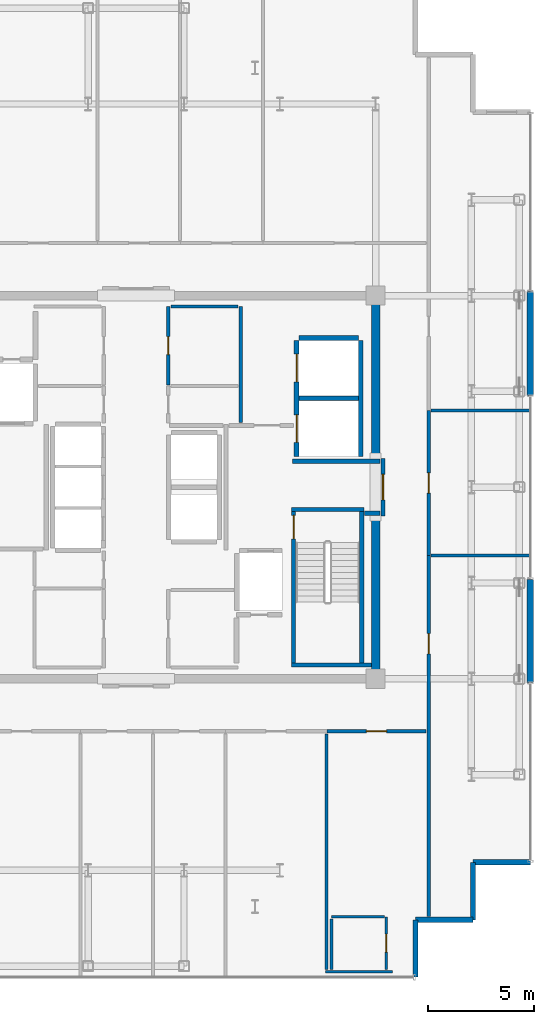
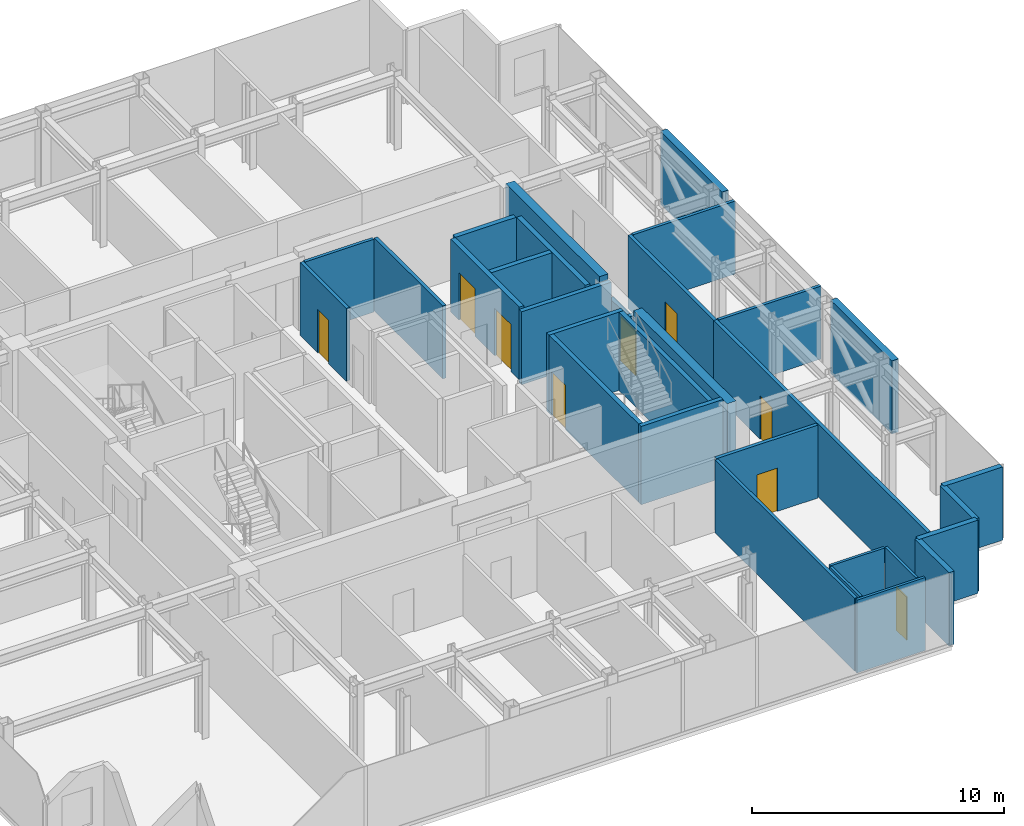
# One storey, part 13 of 16: 32 walls, 9 doors, 9 openings.
"""IFC4 building model written with IfcOpenShell, lengths in metres."""

import ifcopenshell
import ifcopenshell.guid

model = None  # the IFC model being written
_history = None  # IfcOwnerHistory: only IFC2X3 demands one
_inside = {}  # id of a spatial element -> (the spatial element, [elements in it])
_under = {}  # id of a project, library or spatial element -> (it, [spatial elements below it])
_declared = {}  # id of a project -> (the project, [libraries it declares])
_typed = {}  # id of a type object -> (the type object, [elements of that type])
_made_of = {}  # id of a material, layer set ... -> (it, [elements and type objects made of it])


def new_model(schema):
    """Start an empty IFC model of exactly this schema.

    Asked for "IFC4X3", IfcOpenShell would pick the latest addendum, in which some entities
    have other attributes; the version numbers below select the first issue.
    IFC2X3 requires an IfcOwnerHistory on every rooted entity: one is made here for all.
    """
    global model, _history
    if schema == "IFC4X3":
        model = ifcopenshell.file(schema_version=(4, 3, 0, 0))
    else:
        model = ifcopenshell.file(schema=schema)
    _inside.clear()
    _under.clear()
    _declared.clear()
    _typed.clear()
    _made_of.clear()
    _history = None
    if model.schema == "IFC2X3":
        org = make("IfcOrganization", Name="unknown")
        user = make(
            "IfcPersonAndOrganization",
            ThePerson=make("IfcPerson", FamilyName="unknown"),
            TheOrganization=org,
        )
        app = make(
            "IfcApplication",
            ApplicationDeveloper=org,
            Version="unknown",
            ApplicationFullName="unknown",
            ApplicationIdentifier="unknown",
        )
        _history = make(
            "IfcOwnerHistory",
            OwningUser=user,
            OwningApplication=app,
            ChangeAction="ADDED",
            CreationDate=0,
        )
    return model


def make(cls, **values):
    """One entity of the class cls with the attributes given. An attribute that is None is left unset."""
    return model.create_entity(
        cls, **{name: value for name, value in values.items() if value is not None}
    )


def rooted(cls, **values):
    """An entity with a GlobalId (a new one), such as an element, a storey or a relation."""
    return make(cls, GlobalId=ifcopenshell.guid.new(), OwnerHistory=_history, **values)


def si_unit(unit_type, name, prefix=None):
    """IfcSIUnit, for example si_unit("LENGTHUNIT", "METRE", prefix="MILLI")."""
    return make("IfcSIUnit", UnitType=unit_type, Prefix=prefix, Name=name)


def assignment(units):
    """IfcUnitAssignment: the units of a project."""
    return None if units is None else make("IfcUnitAssignment", Units=units)


def point(xyz):
    """IfcCartesianPoint."""
    return None if xyz is None else make("IfcCartesianPoint", Coordinates=xyz)


def direction(xyz):
    """IfcDirection."""
    return None if xyz is None else make("IfcDirection", DirectionRatios=xyz)


def frame(location, z_axis=None, x_axis=None):
    """IfcAxis2Placement3D, a coordinate frame: its origin and axes. An axis left out is left unset."""
    return make(
        "IfcAxis2Placement3D",
        Location=point(location),
        Axis=direction(z_axis),
        RefDirection=direction(x_axis),
    )


def frame_2d(location, x_axis=None):
    """IfcAxis2Placement2D, a coordinate frame in the plane: its origin and x axis."""
    return make(
        "IfcAxis2Placement2D", Location=point(location), RefDirection=direction(x_axis)
    )


def origin():
    """The frame at (0, 0, 0) with its axes left unset."""
    return frame((0.0, 0.0, 0.0))


def place(relative_to, where):
    """IfcLocalPlacement: puts the frame where relative to a parent placement (None: the world)."""
    return make(
        "IfcLocalPlacement", PlacementRelTo=relative_to, RelativePlacement=where
    )


def context(
    kind, dimensions, precision=None, world=None, true_north=None, identifier=None
):
    """IfcGeometricRepresentationContext, for example the 3D "Model" context."""
    return make(
        "IfcGeometricRepresentationContext",
        ContextIdentifier=identifier,
        ContextType=kind,
        CoordinateSpaceDimension=dimensions,
        Precision=precision,
        WorldCoordinateSystem=world,
        TrueNorth=true_north,
    )


def subcontext(parent, identifier, kind, view, scale=None):
    """IfcGeometricRepresentationSubContext, for example "Body" below "Model"."""
    return make(
        "IfcGeometricRepresentationSubContext",
        ContextIdentifier=identifier,
        ContextType=kind,
        ParentContext=parent,
        TargetScale=scale,
        TargetView=view,
    )


def project(units=None, contexts=None):
    """IfcProject with its units and contexts."""
    return rooted(
        "IfcProject",
        Name="project",
        RepresentationContexts=contexts,
        UnitsInContext=assignment(units),
    )


def spatial(cls, under=None, at=None, **own):
    """A site, building, storey or space (cls), placed at a placement, below another one or the project."""
    s = rooted(cls, ObjectPlacement=at, **own)
    if under is not None:
        _under.setdefault(under.id(), (under, []))[1].append(s)
    return s


def profile(cls, at=None, kind="AREA", **sizes):
    """A parametric profile (cls). Its sizes go by their IFC names, for example OverallWidth=200.0."""
    return make(cls, ProfileType=kind, Position=at, **sizes)


def rectangle(**sizes):
    """IfcRectangleProfileDef."""
    return profile("IfcRectangleProfileDef", **sizes)


def extrude(swept, where, along, depth):
    """IfcExtrudedAreaSolid: the profile swept, set in the frame where, extruded along a direction by depth."""
    return make(
        "IfcExtrudedAreaSolid",
        SweptArea=swept,
        Position=where,
        ExtrudedDirection=direction(along),
        Depth=depth,
    )


def shape(context_of_items, identifier, shape_type, items):
    """IfcShapeRepresentation: the items that make up one representation, for example the "Body"."""
    return make(
        "IfcShapeRepresentation",
        ContextOfItems=context_of_items,
        RepresentationIdentifier=identifier,
        RepresentationType=shape_type,
        Items=items,
    )


def source(mapping_origin, context_of_items, identifier, shape_type, items):
    """IfcRepresentationMap: a shape defined once, which mapped items show again and again."""
    return make(
        "IfcRepresentationMap",
        MappingOrigin=mapping_origin,
        MappedRepresentation=shape(context_of_items, identifier, shape_type, items),
    )


def transform(
    local_origin,
    x_axis=None,
    y_axis=None,
    z_axis=None,
    scale=None,
    scale2=None,
    scale3=None,
    uniform=True,
):
    """IfcCartesianTransformationOperator3D, or its non-uniform kind. x_axis, y_axis, z_axis: its Axis1, 2, 3."""
    if uniform:
        return make(
            "IfcCartesianTransformationOperator3D",
            Axis1=direction(x_axis),
            Axis2=direction(y_axis),
            LocalOrigin=point(local_origin),
            Scale=scale,
            Axis3=direction(z_axis),
        )
    return make(
        "IfcCartesianTransformationOperator3DnonUniform",
        Axis1=direction(x_axis),
        Axis2=direction(y_axis),
        LocalOrigin=point(local_origin),
        Scale=scale,
        Axis3=direction(z_axis),
        Scale2=scale2,
        Scale3=scale3,
    )


def mapped(mapping_source, mapping_target):
    """IfcMappedItem: shows the shape of a source again, moved by a transform."""
    return make(
        "IfcMappedItem", MappingSource=mapping_source, MappingTarget=mapping_target
    )


def material(Name=None, Category=None):
    """IfcMaterial."""
    return make("IfcMaterial", Name=Name, Category=Category)


def layer(
    of_material, thickness, ventilated=None, Name=None, Category=None, Priority=None
):
    """IfcMaterialLayer: one layer of a wall or slab, of a material (None: an air gap)."""
    return make(
        "IfcMaterialLayer",
        Material=of_material,
        LayerThickness=thickness,
        IsVentilated=ventilated,
        Name=Name,
        Category=Category,
        Priority=Priority,
    )


def layer_set(layers, Name=None):
    """IfcMaterialLayerSet."""
    return make("IfcMaterialLayerSet", MaterialLayers=layers, LayerSetName=Name)


def made_of(thing, what):
    """Note that an element or type object is made of a material, layer set ...; save() writes the relation."""
    if what is not None:
        _made_of.setdefault(what.id(), (what, []))[1].append(thing)
    return thing


def type_object(cls, material=None, **own):
    """A type object (cls), such as IfcWallType, which elements share."""
    return made_of(rooted(cls, **own), material)


def element(
    cls,
    number,
    at=None,
    inside=None,
    cuts=None,
    type_object=None,
    material=None,
    context=None,
    identifier="Body",
    shape_type=None,
    held_by="IfcProductDefinitionShape",
    body=None,
    shapes=None,
    **own,
):
    """One element of the class cls, such as IfcWall. Its Tag is "e" and its number.

    at: its placement. inside: the storey or other place that contains it. cuts: it is an
    opening in that element (IfcRelVoidsElement). A single representation is given by context,
    identifier, shape_type and body (its items); several are given by shapes. held_by: the class
    of the entity that holds the representations. save() writes the other relations.
    """
    e = rooted(cls, Tag="e%d" % number, ObjectPlacement=at, **own)
    if body is not None:
        shapes = [shape(context, identifier, shape_type, body)]
    if shapes is not None:
        e.Representation = make(held_by, Representations=shapes)
    if inside is not None:
        _inside.setdefault(inside.id(), (inside, []))[1].append(e)
    if cuts is not None:
        rooted(
            "IfcRelVoidsElement", RelatingBuildingElement=cuts, RelatedOpeningElement=e
        )
    if type_object is not None:
        _typed.setdefault(type_object.id(), (type_object, []))[1].append(e)
    return made_of(e, material)


def fill(opening, filler):
    """IfcRelFillsElement: the door or window that sits in an opening."""
    return rooted(
        "IfcRelFillsElement",
        RelatingOpeningElement=opening,
        RelatedBuildingElement=filler,
    )


def aggregate(whole, parts):
    """IfcRelAggregates: a whole, such as a stair, and the parts it consists of."""
    return rooted("IfcRelAggregates", RelatingObject=whole, RelatedObjects=parts)


def save(model, path):
    """Write the relations noted so far, then the file.

    IfcRelAggregates (storeys below a building ...), IfcRelContainedInSpatialStructure (elements
    in a storey), IfcRelDefinesByType, IfcRelAssociatesMaterial and IfcRelDeclares: one each for
    every whole, place, type object, material and project.
    """
    for whole, parts in _under.values():
        aggregate(whole, parts)
    for where, things in _inside.values():
        rooted(
            "IfcRelContainedInSpatialStructure",
            RelatedElements=things,
            RelatingStructure=where,
        )
    for kind, things in _typed.values():
        rooted("IfcRelDefinesByType", RelatedObjects=things, RelatingType=kind)
    for what, things in _made_of.values():
        rooted("IfcRelAssociatesMaterial", RelatedObjects=things, RelatingMaterial=what)
    for by, libraries in _declared.values():
        rooted("IfcRelDeclares", RelatingContext=by, RelatedDefinitions=libraries)
    model.write(path)


model = new_model("IFC4")

# Units and contexts
model_context = context("Model", 3, precision=1e-05, world=origin(), true_north=direction((0.0, 1.0)))
body_context = subcontext(model_context, "Body", "Model", "MODEL_VIEW")
ifc_project = project(units=[si_unit("LENGTHUNIT", "METRE"), si_unit("AREAUNIT", "SQUARE_METRE"), si_unit("VOLUMEUNIT", "CUBIC_METRE"), si_unit("PLANEANGLEUNIT", "RADIAN"), si_unit("MASSUNIT", "GRAM", prefix="KILO")], contexts=[model_context])

# Site, building, storey
site_placement = place(None, origin())
site = spatial("IfcSite", under=ifc_project, at=site_placement, CompositionType="ELEMENT")
building_placement = place(site_placement, origin())
building = spatial("IfcBuilding", under=site, at=building_placement, Name="Nefas-Gora Pilgrimage Tower", CompositionType="ELEMENT")
storey_placement = place(building_placement, frame((0.0, 0.0, 333.800048828125)))
storey = spatial("IfcBuildingStorey", under=building, at=storey_placement, Name="L84", CompositionType="ELEMENT", Elevation=333.800048828125)

# Walls
ifc_material_1 = material(Name="Concrete C50/60", Category="concrete")
ifc_layer_1 = layer(ifc_material_1, 0.39990234375)
ifc_layer_set_1 = layer_set([ifc_layer_1], Name="Concrete C50/60")
wall_type_1 = type_object("IfcWallType", Name="SW-CORE-400", PredefinedType="SHEAR", material=ifc_layer_set_1)
shared_shape_1 = source(origin(), body_context, "Body", "SweptSolid", [
    extrude(rectangle(XDim=7.449951171875, YDim=0.39990234375, at=frame_2d((3.72509765625, 0.0))), origin(), (0.0, 0.0, 1.0), 3.800048828125),
])
for number, where, z_axis, x_axis, name in (
    (1, (11.25, -8.800048828125, 0.0), (0.0, 0.0, 1.0), (0.0, 1.0, 0.0), "L84 Core Shear Wall E-South"),
    (2, (11.25, 1.35009765625, 0.0), (0.0, 0.0, 1.0), (0.0, 1.0, 0.0), "L84 Core Shear Wall E-North"),
):
    element("IfcWall", number, at=place(storey_placement, frame(where, z_axis=z_axis, x_axis=x_axis)), inside=storey, type_object=wall_type_1, Name=name, PredefinedType="SHEAR", context=body_context, shape_type="MappedRepresentation", body=[
        mapped(shared_shape_1, transform((0.0, 0.0, 0.0), x_axis=(1.0, 0.0, 0.0), y_axis=(0.0, 1.0, 0.0), z_axis=(0.0, 0.0, 1.0), scale=1.0)),
    ])
ifc_material_2 = material(Name="Precast concrete C45/55", Category="concrete")
ifc_layer_2 = layer(ifc_material_2, 0.239990234375)
ifc_layer_set_2 = layer_set([ifc_layer_2], Name="Precast concrete C45/55")
wall_type_2 = type_object("IfcWallType", Name="EW-SERR-240", PredefinedType="SHEAR", material=ifc_layer_set_2)
shared_shape_2 = source(origin(), body_context, "Body", "SweptSolid", [
    extrude(rectangle(XDim=4.8798828125, YDim=0.300048828125, at=frame_2d((2.43994140625, 0.0))), origin(), (0.0, 0.0, 1.0), 3.550048828125),
])
for number, where, z_axis, x_axis, name in (
    (3, (18.52001953125, -9.18994140625, 0.0), (0.0, 0.0, 1.0), (0.0, 1.0, 0.0), "L84 Braced-Tube Precast Shear Cladding 3"),
    (4, (18.52001953125, 4.31005859375, 0.0), (0.0, 0.0, 1.0), (0.0, 1.0, 0.0), "L84 Braced-Tube Precast Shear Cladding 4"),
):
    element("IfcWall", number, at=place(storey_placement, frame(where, z_axis=z_axis, x_axis=x_axis)), inside=storey, type_object=wall_type_2, Name=name, PredefinedType="SHEAR", context=body_context, shape_type="MappedRepresentation", body=[
        mapped(shared_shape_2, transform((0.0, 0.0, 0.0), x_axis=(1.0, 0.0, 0.0), y_axis=(0.0, 1.0, 0.0), z_axis=(0.0, 0.0, 1.0), scale=1.0)),
    ])
shared_shape_3 = source(origin(), body_context, "Body", "SweptSolid", [
    extrude(rectangle(XDim=2.699951171875, YDim=0.239990234375, at=frame_2d((1.35009765625, 0.0))), origin(), (0.0, 0.0, 1.0), 3.550048828125),
])
for number, where, z_axis, x_axis, name in (
    (5, (13.1201171875, -23.02001953125, 0.0), (0.0, 0.0, 1.0), (0.0, 1.0, 0.0), "L84 Serrated Corner Shear Pier Wall 17"),
    (6, (13.1201171875, -20.320068359375, 0.0), (0.0, 0.0, 1.0), (1.0, 0.0, 0.0), "L84 Serrated Corner Shear Pier Wall 18"),
    (7, (15.820068359375, -20.320068359375, 0.0), (0.0, 0.0, 1.0), (0.0, 1.0, 0.0), "L84 Serrated Corner Shear Pier Wall 19"),
    (8, (15.820068359375, -17.6201171875, 0.0), (0.0, 0.0, 1.0), (1.0, 0.0, 0.0), "L84 Serrated Corner Shear Pier Wall 20"),
):
    element("IfcWall", number, at=place(storey_placement, frame(where, z_axis=z_axis, x_axis=x_axis)), inside=storey, type_object=wall_type_2, Name=name, PredefinedType="SHEAR", context=body_context, shape_type="MappedRepresentation", body=[
        mapped(shared_shape_3, transform((0.0, 0.0, 0.0), x_axis=(1.0, 0.0, 0.0), y_axis=(0.0, 1.0, 0.0), z_axis=(0.0, 0.0, 1.0), scale=1.0)),
    ])
ifc_material_3 = material(Name="Concrete C45/55", Category="concrete")
ifc_layer_3 = layer(ifc_material_3, 0.199951171875)
ifc_layer_set_3 = layer_set([ifc_layer_3], Name="Concrete C45/55")
wall_type_3 = type_object("IfcWallType", Name="IW-STAIR-200", PredefinedType="SOLIDWALL", material=ifc_layer_set_3)
shared_shape_4 = source(origin(), body_context, "Body", "SweptSolid", [
    extrude(rectangle(XDim=3.39990234375, YDim=0.199951171875, at=frame_2d((1.699951171875, 0.0))), origin(), (0.0, 0.0, 1.0), 3.800048828125),
])
wall_1_placement = place(storey_placement, frame((7.300048828125, -1.050048828125, 0.0), z_axis=(0.0, 0.0, 1.0), x_axis=(1.0, 0.0, 0.0)))
element("IfcWall", 9, at=wall_1_placement, inside=storey, type_object=wall_type_3, Name="L84 Stairwell Shear Wall ST-02-near", PredefinedType="SOLIDWALL", context=body_context, shape_type="MappedRepresentation", body=[
    mapped(shared_shape_4, transform((0.0, 0.0, 0.0), x_axis=(1.0, 0.0, 0.0), y_axis=(0.0, 1.0, 0.0), z_axis=(0.0, 0.0, 1.0), scale=1.0)),
])

# Wall, opening, door
shared_shape_5 = source(origin(), body_context, "Body", "SweptSolid", [
    extrude(rectangle(XDim=7.10009765625, YDim=0.199951171875, at=frame_2d((3.550048828125, 0.0))), origin(), (0.0, 0.0, 1.0), 3.800048828125),
])
wall_2_placement = place(storey_placement, frame((7.39990234375, -1.14990234375, 0.0), z_axis=(0.0, 0.0, 1.0), x_axis=(0.0, -1.0, 0.0)))
wall_2 = element("IfcWall", 10, at=wall_2_placement, inside=storey, type_object=wall_type_3, Name="L84 Stairwell Shear Wall ST-02-left", PredefinedType="SOLIDWALL", context=body_context, shape_type="MappedRepresentation", body=[
    mapped(shared_shape_5, transform((0.0, 0.0, 0.0), x_axis=(1.0, 0.0, 0.0), y_axis=(0.0, 1.0, 0.0), z_axis=(0.0, 0.0, 1.0), scale=1.0)),
])
opening_1_placement = place(wall_2_placement, frame((0.179931640625, 0.0, 0.0)))
opening_1 = element("IfcOpeningElement", 11, at=opening_1_placement, cuts=wall_2, Name="Opening ID-ST1", PredefinedType="OPENING", context=body_context, shape_type="SweptSolid", body=[
    extrude(rectangle(XDim=1.10009765625, YDim=2.14990234375, at=frame_2d((0.550048828125, 1.074951171875))), frame((0.0, 0.10986328125, 0.0), z_axis=(0.0, -1.0, 0.0), x_axis=(1.0, 0.0, 0.0)), (0.0, 0.0, 1.0), 0.219970703125),
])
ifc_material_4 = material(Name="Painted galvanised steel fire stair door", Category="steel")
door_type_1 = type_object("IfcDoorType", Name="DR-INT-STAIR-1100", OperationType="NOTDEFINED", PredefinedType="DOOR", material=ifc_material_4)
shared_shape_6 = source(origin(), body_context, "Body", "SweptSolid", [
    extrude(rectangle(XDim=1.10009765625, YDim=2.14990234375, at=frame_2d((0.550048828125, 1.074951171875))), frame((0.0, 0.02490234375, 0.0), z_axis=(0.0, -1.0, 0.0), x_axis=(1.0, 0.0, 0.0)), (0.0, 0.0, 1.0), 0.050048828125),
])
door_1_placement = place(opening_1_placement, origin())
door_1 = element("IfcDoor", 12, at=door_1_placement, inside=storey, type_object=door_type_1, Name="L84 Protected Exit Stair Door ST-02", OperationType="SINGLE_SWING_LEFT", OverallHeight=2.14990234375, OverallWidth=1.10009765625, PredefinedType="DOOR", context=body_context, shape_type="MappedRepresentation", body=[
    mapped(shared_shape_6, transform((0.0, 0.0, 0.0), x_axis=(1.0, 0.0, 0.0), y_axis=(0.0, 1.0, 0.0), z_axis=(0.0, 0.0, 1.0), scale=1.0)),
])
fill(opening_1, door_1)

# Walls
wall_3_placement = place(storey_placement, frame((10.60009765625, -1.14990234375, 0.0), z_axis=(0.0, 0.0, 1.0), x_axis=(0.0, -1.0, 0.0)))
element("IfcWall", 13, at=wall_3_placement, inside=storey, type_object=wall_type_3, Name="L84 Stairwell Shear Wall ST-02-right", PredefinedType="SOLIDWALL", context=body_context, shape_type="MappedRepresentation", body=[
    mapped(shared_shape_5, transform((0.0, 0.0, 0.0), x_axis=(1.0, 0.0, 0.0), y_axis=(0.0, 1.0, 0.0), z_axis=(0.0, 0.0, 1.0), scale=1.0)),
])
shared_shape_7 = source(origin(), body_context, "Body", "SweptSolid", [
    extrude(rectangle(XDim=3.7548828125, YDim=0.199951171875, at=frame_2d((1.87744140625, 0.0))), origin(), (0.0, 0.0, 1.0), 3.800048828125),
])
wall_4_placement = place(storey_placement, frame((7.300048828125, -8.35009765625, 0.0), z_axis=(0.0, 0.0, 1.0), x_axis=(1.0, 0.0, 0.0)))
element("IfcWall", 14, at=wall_4_placement, inside=storey, type_object=wall_type_3, Name="L84 Stairwell Shear Wall ST-02-far", PredefinedType="SOLIDWALL", context=body_context, shape_type="MappedRepresentation", body=[
    mapped(shared_shape_7, transform((0.0, 0.0, 0.0), x_axis=(1.0, 0.0, 0.0), y_axis=(0.0, 1.0, 0.0), z_axis=(0.0, 0.0, 1.0), scale=1.0)),
])

# Wall, openings, doors
ifc_material_5 = material(Name="Concrete C40/50", Category="concrete")
ifc_layer_4 = layer(ifc_material_5, 0.219970703125)
ifc_layer_set_4 = layer_set([ifc_layer_4], Name="Concrete C40/50")
wall_type_4 = type_object("IfcWallType", Name="IW-SHAFT-220", PredefinedType="SOLIDWALL", material=ifc_layer_set_4)
shared_shape_8 = source(origin(), body_context, "Body", "SweptSolid", [
    extrude(rectangle(XDim=5.449951171875, YDim=0.219970703125, at=frame_2d((2.72509765625, 0.0))), origin(), (0.0, 0.0, 1.0), 3.534912109375),
])
wall_5_placement = place(storey_placement, frame((7.5400390625, 6.89990234375, 0.0), z_axis=(0.0, 0.0, 1.0), x_axis=(0.0, -1.0, 0.0)))
wall_5 = element("IfcWall", 15, at=wall_5_placement, inside=storey, type_object=wall_type_4, Name="L84 Hoistway Wall SL-01-02-W", PredefinedType="SOLIDWALL", context=body_context, shape_type="MappedRepresentation", body=[
    mapped(shared_shape_8, transform((0.0, 0.0, 0.0), x_axis=(1.0, 0.0, 0.0), y_axis=(0.0, 1.0, 0.0), z_axis=(0.0, 0.0, 1.0), scale=1.0)),
])
opening_2_placement = place(wall_5_placement, frame((3.5, 0.0, 0.0)))
opening_2 = element("IfcOpeningElement", 16, at=opening_2_placement, cuts=wall_5, Name="Opening LD-SV", PredefinedType="OPENING", context=body_context, shape_type="SweptSolid", body=[
    extrude(rectangle(XDim=1.300048828125, YDim=2.300048828125, at=frame_2d((0.64990234375, 1.14990234375))), frame((0.0, 0.119873046875, 0.0), z_axis=(0.0, -1.0, 0.0), x_axis=(1.0, 0.0, 0.0)), (0.0, 0.0, 1.0), 0.239990234375),
])
opening_3_placement = place(wall_5_placement, frame((0.64990234375, 0.0, 0.0)))
opening_3 = element("IfcOpeningElement", 17, at=opening_3_placement, cuts=wall_5, Name="Opening LD-SV", PredefinedType="OPENING", context=body_context, shape_type="SweptSolid", body=[
    extrude(rectangle(XDim=1.300048828125, YDim=2.300048828125, at=frame_2d((0.64990234375, 1.14990234375))), frame((0.0, 0.119873046875, 0.0), z_axis=(0.0, -1.0, 0.0), x_axis=(1.0, 0.0, 0.0)), (0.0, 0.0, 1.0), 0.239990234375),
])
ifc_material_6 = material(Name="Heavy goods sliding lift landing door")
door_type_2 = type_object("IfcDoorType", Name="DR-LIFT-SERV-1300", OperationType="SLIDING_TO_RIGHT", PredefinedType="DOOR", material=ifc_material_6)
shared_shape_9 = source(origin(), body_context, "Body", "SweptSolid", [
    extrude(rectangle(XDim=1.300048828125, YDim=2.300048828125, at=frame_2d((0.64990234375, 1.14990234375))), frame((0.0, 0.02490234375, 0.0), z_axis=(0.0, -1.0, 0.0), x_axis=(1.0, 0.0, 0.0)), (0.0, 0.0, 1.0), 0.050048828125),
])
door_2_placement = place(opening_2_placement, origin())
door_2 = element("IfcDoor", 18, at=door_2_placement, inside=storey, type_object=door_type_2, Name="L84 Sliding Lift Landing Door SL-01", OperationType="SLIDING_TO_RIGHT", OverallHeight=2.300048828125, OverallWidth=1.300048828125, PredefinedType="DOOR", context=body_context, shape_type="MappedRepresentation", body=[
    mapped(shared_shape_9, transform((0.0, 0.0, 0.0), x_axis=(1.0, 0.0, 0.0), y_axis=(0.0, 1.0, 0.0), z_axis=(0.0, 0.0, 1.0), scale=1.0)),
])
fill(opening_2, door_2)
door_3_placement = place(opening_3_placement, origin())
door_3 = element("IfcDoor", 19, at=door_3_placement, inside=storey, type_object=door_type_2, Name="L84 Sliding Lift Landing Door SL-02", OperationType="SLIDING_TO_RIGHT", OverallHeight=2.300048828125, OverallWidth=1.300048828125, PredefinedType="DOOR", context=body_context, shape_type="MappedRepresentation", body=[
    mapped(shared_shape_9, transform((0.0, 0.0, 0.0), x_axis=(1.0, 0.0, 0.0), y_axis=(0.0, 1.0, 0.0), z_axis=(0.0, 0.0, 1.0), scale=1.0)),
])
fill(opening_3, door_3)

# Walls
wall_6_placement = place(storey_placement, frame((10.56005859375, 1.449951171875, 0.0), z_axis=(0.0, 0.0, 1.0), x_axis=(0.0, 1.0, 0.0)))
element("IfcWall", 20, at=wall_6_placement, inside=storey, type_object=wall_type_4, Name="L84 Hoistway Wall SL-01-02-E", PredefinedType="SOLIDWALL", context=body_context, shape_type="MappedRepresentation", body=[
    mapped(shared_shape_8, transform((0.0, 0.0, 0.0), x_axis=(1.0, 0.0, 0.0), y_axis=(0.0, 1.0, 0.0), z_axis=(0.0, 0.0, 1.0), scale=1.0)),
])
shared_shape_10 = source(origin(), body_context, "Body", "SweptSolid", [
    extrude(rectangle(XDim=2.780029296875, YDim=0.219970703125, at=frame_2d((1.39013671875, 0.0))), origin(), (0.0, 0.0, 1.0), 3.534912109375),
])
for number, where, z_axis, x_axis, name in (
    (21, (7.659912109375, 4.175048828125, 0.0), (0.0, 0.0, 1.0), (1.0, 0.0, 0.0), "L84 Hoistway Wall SL-01-02-DIV"),
    (22, (10.43994140625, 7.010009765625, 0.0), (0.0, 0.0, 1.0), (-1.0, 0.0, 0.0), "L84 Hoistway Wall SL-02-N"),
):
    element("IfcWall", number, at=place(storey_placement, frame(where, z_axis=z_axis, x_axis=x_axis)), inside=storey, type_object=wall_type_4, Name=name, PredefinedType="SOLIDWALL", context=body_context, shape_type="MappedRepresentation", body=[
        mapped(shared_shape_10, transform((0.0, 0.0, 0.0), x_axis=(1.0, 0.0, 0.0), y_axis=(0.0, 1.0, 0.0), z_axis=(0.0, 0.0, 1.0), scale=1.0)),
    ])
ifc_material_7 = material(Name="Gypsum fire-rated shaftwall")
ifc_layer_5 = layer(ifc_material_7, 0.199951171875)
ifc_layer_set_5 = layer_set([ifc_layer_5], Name="Gypsum fire-rated shaftwall")
wall_type_5 = type_object("IfcWallType", Name="IW-FFLOB-200", PredefinedType="PARTITIONING", material=ifc_layer_set_5)
shared_shape_11 = source(origin(), body_context, "Body", "SweptSolid", [
    extrude(rectangle(XDim=0.719970703125, YDim=0.199951171875, at=frame_2d((0.35986328125, 0.0))), origin(), (0.0, 0.0, 1.0), 3.534912109375),
])
wall_7_placement = place(storey_placement, frame((10.739990234375, -1.219970703125, 0.0), z_axis=(0.0, 0.0, 1.0), x_axis=(1.0, 0.0, 0.0)))
element("IfcWall", 23, at=wall_7_placement, inside=storey, type_object=wall_type_5, Name="L84 FF Lobby East Throat S Wall 15", PredefinedType="PARTITIONING", context=body_context, shape_type="MappedRepresentation", body=[
    mapped(shared_shape_11, transform((0.0, 0.0, 0.0), x_axis=(1.0, 0.0, 0.0), y_axis=(0.0, 1.0, 0.0), z_axis=(0.0, 0.0, 1.0), scale=1.0)),
])
shared_shape_12 = source(origin(), body_context, "Body", "SweptSolid", [
    extrude(rectangle(XDim=4.10986328125, YDim=0.199951171875, at=frame_2d((2.054931640625, 0.0))), origin(), (0.0, 0.0, 1.0), 3.534912109375),
])
wall_8_placement = place(storey_placement, frame((7.35009765625, 1.219970703125, 0.0), z_axis=(0.0, 0.0, 1.0), x_axis=(1.0, 0.0, 0.0)))
element("IfcWall", 24, at=wall_8_placement, inside=storey, type_object=wall_type_5, Name="L84 FF Lobby East Throat N Wall 14", PredefinedType="PARTITIONING", context=body_context, shape_type="MappedRepresentation", body=[
    mapped(shared_shape_12, transform((0.0, 0.0, 0.0), x_axis=(1.0, 0.0, 0.0), y_axis=(0.0, 1.0, 0.0), z_axis=(0.0, 0.0, 1.0), scale=1.0)),
])
ifc_material_8 = material(Name="Gypsum twin-stud partition")
ifc_layer_6 = layer(ifc_material_8, 0.139892578125)
ifc_layer_set_6 = layer_set([ifc_layer_6], Name="Gypsum twin-stud partition")
wall_type_6 = type_object("IfcWallType", Name="IW-UNIT-140", PredefinedType="PARTITIONING", material=ifc_layer_set_6)
shared_shape_13 = source(origin(), body_context, "Body", "SweptSolid", [
    extrude(rectangle(XDim=3.150146484375, YDim=0.139892578125, at=frame_2d((1.5751953125, 0.0))), origin(), (0.0, 0.0, 1.0), 3.534912109375),
])
wall_9_placement = place(storey_placement, frame((1.639892578125, 8.47998046875, 0.0), z_axis=(0.0, 0.0, 1.0), x_axis=(1.0, 0.0, 0.0)))
element("IfcWall", 25, at=wall_9_placement, inside=storey, type_object=wall_type_6, Name="L84 Amenity Supply Store Partition Wall 30", PredefinedType="PARTITIONING", context=body_context, shape_type="MappedRepresentation", body=[
    mapped(shared_shape_13, transform((0.0, 0.0, 0.0), x_axis=(1.0, 0.0, 0.0), y_axis=(0.0, 1.0, 0.0), z_axis=(0.0, 0.0, 1.0), scale=1.0)),
])

# Wall, opening, door
ifc_material_9 = material(Name="Moisture-resistant fire-rated gypsum partition")
ifc_layer_7 = layer(ifc_material_9, 0.1201171875)
ifc_layer_set_7 = layer_set([ifc_layer_7], Name="Moisture-resistant fire-rated gypsum partition")
wall_type_7 = type_object("IfcWallType", Name="IW-WET-120", PredefinedType="PLUMBINGWALL", material=ifc_layer_set_7)
shared_shape_14 = source(origin(), body_context, "Body", "SweptSolid", [
    extrude(rectangle(XDim=2.47998046875, YDim=0.1201171875, at=frame_2d((1.239990234375, 0.0))), origin(), (0.0, 0.0, 1.0), 3.534912109375),
])
wall_10_placement = place(storey_placement, frame((11.760009765625, -22.659912109375, 0.0), z_axis=(0.0, 0.0, 1.0), x_axis=(0.0, 1.0, 0.0)))
wall_10 = element("IfcWall", 26, at=wall_10_placement, inside=storey, type_object=wall_type_7, Name="L84 En-Suite Bathroom Wall 20", PredefinedType="PLUMBINGWALL", context=body_context, shape_type="MappedRepresentation", body=[
    mapped(shared_shape_14, transform((0.0, 0.0, 0.0), x_axis=(1.0, 0.0, 0.0), y_axis=(0.0, 1.0, 0.0), z_axis=(0.0, 0.0, 1.0), scale=1.0)),
])
opening_4_placement = place(wall_10_placement, frame((0.81494140625, 0.0, 0.0)))
opening_4 = element("IfcOpeningElement", 27, at=opening_4_placement, cuts=wall_10, Name="Opening ID-BT1", PredefinedType="OPENING", context=body_context, shape_type="SweptSolid", body=[
    extrude(rectangle(XDim=0.85009765625, YDim=2.10009765625, at=frame_2d((0.425048828125, 1.050048828125))), frame((0.0, 0.070068359375, 0.0), z_axis=(0.0, -1.0, 0.0), x_axis=(1.0, 0.0, 0.0)), (0.0, 0.0, 1.0), 0.14013671875),
])
ifc_material_10 = material(Name="Moisture-resistant fire-rated timber door", Category="wood")
door_type_3 = type_object("IfcDoorType", Name="DR-INT-BATH-850", OperationType="NOTDEFINED", PredefinedType="DOOR", material=ifc_material_10)
shared_shape_15 = source(origin(), body_context, "Body", "SweptSolid", [
    extrude(rectangle(XDim=0.85009765625, YDim=2.10009765625, at=frame_2d((0.425048828125, 1.050048828125))), frame((0.0, 0.02490234375, 0.0), z_axis=(0.0, -1.0, 0.0), x_axis=(1.0, 0.0, 0.0)), (0.0, 0.0, 1.0), 0.050048828125),
])
door_4_placement = place(opening_4_placement, origin())
door_4 = element("IfcDoor", 28, at=door_4_placement, inside=storey, type_object=door_type_3, Name="L84 En-Suite Bathroom Door 8", OperationType="SINGLE_SWING_RIGHT", OverallHeight=2.10009765625, OverallWidth=0.85009765625, PredefinedType="DOOR", context=body_context, shape_type="MappedRepresentation", body=[
    mapped(shared_shape_15, transform((0.0, 0.0, 0.0), x_axis=(1.0, 0.0, 0.0), y_axis=(0.0, 1.0, 0.0), z_axis=(0.0, 0.0, 1.0), scale=1.0)),
])
fill(opening_4, door_4)

# Wall
wall_11_placement = place(storey_placement, frame((9.179931640625, -20.179931640625, 0.0), z_axis=(0.0, 0.0, 1.0), x_axis=(1.0, 0.0, 0.0)))
element("IfcWall", 29, at=wall_11_placement, inside=storey, type_object=wall_type_7, Name="L84 En-Suite Bathroom Wall 21", PredefinedType="PLUMBINGWALL", context=body_context, shape_type="MappedRepresentation", body=[
    mapped(shared_shape_14, transform((0.0, 0.0, 0.0), x_axis=(1.0, 0.0, 0.0), y_axis=(0.0, 1.0, 0.0), z_axis=(0.0, 0.0, 1.0), scale=1.0)),
])

# Wall, opening, door
ifc_material_11 = material(Name="Gypsum acoustic stud partition")
ifc_layer_8 = layer(ifc_material_11, 0.159912109375)
ifc_layer_set_8 = layer_set([ifc_layer_8], Name="Gypsum acoustic stud partition")
wall_type_8 = type_object("IfcWallType", Name="IW-CORR-160", PredefinedType="PARTITIONING", material=ifc_layer_set_8)
shared_shape_16 = source(origin(), body_context, "Body", "SweptSolid", [
    extrude(rectangle(XDim=6.81005859375, YDim=0.159912109375, at=frame_2d((3.405029296875, 0.0))), origin(), (0.0, 0.0, 1.0), 3.534912109375),
])
wall_12_placement = place(storey_placement, frame((13.739990234375, -3.205078125, 0.0), z_axis=(0.0, 0.0, 1.0), x_axis=(0.0, 1.0, 0.0)))
wall_12 = element("IfcWall", 30, at=wall_12_placement, inside=storey, type_object=wall_type_8, Name="L84 Pilgrim Fellowship Seminar Room Partition Wall 52", PredefinedType="PARTITIONING", context=body_context, shape_type="MappedRepresentation", body=[
    mapped(shared_shape_16, transform((0.0, 0.0, 0.0), x_axis=(1.0, 0.0, 0.0), y_axis=(0.0, 1.0, 0.0), z_axis=(0.0, 0.0, 1.0), scale=1.0)),
])
opening_5_placement = place(wall_12_placement, frame((2.929931640625, 0.0, 0.0)))
opening_5 = element("IfcOpeningElement", 31, at=opening_5_placement, cuts=wall_12, Name="Opening ID-GR1", PredefinedType="OPENING", context=body_context, shape_type="SweptSolid", body=[
    extrude(rectangle(XDim=0.949951171875, YDim=2.10009765625, at=frame_2d((0.47509765625, 1.050048828125))), frame((0.0, 0.08984375, 0.0), z_axis=(0.0, -1.0, 0.0), x_axis=(1.0, 0.0, 0.0)), (0.0, 0.0, 1.0), 0.179931640625),
])
ifc_material_12 = material(Name="Solid core oak fire-rated guest entrance door")
door_type_4 = type_object("IfcDoorType", Name="DR-INT-GUEST-950", OperationType="NOTDEFINED", PredefinedType="DOOR", material=ifc_material_12)
shared_shape_17 = source(origin(), body_context, "Body", "SweptSolid", [
    extrude(rectangle(XDim=0.949951171875, YDim=2.10009765625, at=frame_2d((0.47509765625, 1.050048828125))), frame((0.0, 0.02490234375, 0.0), z_axis=(0.0, -1.0, 0.0), x_axis=(1.0, 0.0, 0.0)), (0.0, 0.0, 1.0), 0.050048828125),
])
door_5_placement = place(opening_5_placement, origin())
door_5 = element("IfcDoor", 32, at=door_5_placement, inside=storey, type_object=door_type_4, Name="L84 Pilgrim Fellowship Seminar Room Door 22", OperationType="SINGLE_SWING_RIGHT", OverallHeight=2.10009765625, OverallWidth=0.949951171875, PredefinedType="DOOR", context=body_context, shape_type="MappedRepresentation", body=[
    mapped(shared_shape_17, transform((0.0, 0.0, 0.0), x_axis=(1.0, 0.0, 0.0), y_axis=(0.0, 1.0, 0.0), z_axis=(0.0, 0.0, 1.0), scale=1.0)),
])
fill(opening_5, door_5)

shared_shape_18 = source(origin(), body_context, "Body", "SweptSolid", [
    extrude(rectangle(XDim=4.66015625, YDim=0.159912109375, at=frame_2d((2.330078125, 0.0))), origin(), (0.0, 0.0, 1.0), 3.534912109375),
])
wall_13_placement = place(storey_placement, frame((8.9599609375, -11.469970703125, 0.0), z_axis=(0.0, 0.0, 1.0), x_axis=(1.0, 0.0, 0.0)))
wall_13 = element("IfcWall", 33, at=wall_13_placement, inside=storey, type_object=wall_type_8, Name="L84 Pilgrim Sanctuary Suite Partition Wall 73", PredefinedType="PARTITIONING", context=body_context, shape_type="MappedRepresentation", body=[
    mapped(shared_shape_18, transform((0.0, 0.0, 0.0), x_axis=(1.0, 0.0, 0.0), y_axis=(0.0, 1.0, 0.0), z_axis=(0.0, 0.0, 1.0), scale=1.0)),
])
opening_6_placement = place(wall_13_placement, frame((1.85498046875, 0.0, 0.0)))
opening_6 = element("IfcOpeningElement", 34, at=opening_6_placement, cuts=wall_13, Name="Opening ID-GR1", PredefinedType="OPENING", context=body_context, shape_type="SweptSolid", body=[
    extrude(rectangle(XDim=0.949951171875, YDim=2.10009765625, at=frame_2d((0.47509765625, 1.050048828125))), frame((0.0, 0.08984375, 0.0), z_axis=(0.0, -1.0, 0.0), x_axis=(1.0, 0.0, 0.0)), (0.0, 0.0, 1.0), 0.179931640625),
])
door_6_placement = place(opening_6_placement, origin())
door_6 = element("IfcDoor", 35, at=door_6_placement, inside=storey, type_object=door_type_4, Name="L84 Pilgrim Sanctuary Suite Door 34", OperationType="SINGLE_SWING_RIGHT", OverallHeight=2.10009765625, OverallWidth=0.949951171875, PredefinedType="DOOR", context=body_context, shape_type="MappedRepresentation", body=[
    mapped(shared_shape_17, transform((0.0, 0.0, 0.0), x_axis=(1.0, 0.0, 0.0), y_axis=(0.0, 1.0, 0.0), z_axis=(0.0, 0.0, 1.0), scale=1.0)),
])
fill(opening_6, door_6)

# Wall
shared_shape_19 = source(origin(), body_context, "Body", "SweptSolid", [
    extrude(rectangle(XDim=5.449951171875, YDim=0.159912109375, at=frame_2d((2.72509765625, 0.0))), origin(), (0.0, 0.0, 1.0), 3.534912109375),
])
wall_14_placement = place(storey_placement, frame((4.919921875, 3.0400390625, 0.0), z_axis=(0.0, 0.0, 1.0), x_axis=(0.0, 1.0, 0.0)))
element("IfcWall", 36, at=wall_14_placement, inside=storey, type_object=wall_type_8, Name="L84 Service Lift Lobby West Wall Wall 18", PredefinedType="PARTITIONING", context=body_context, shape_type="MappedRepresentation", body=[
    mapped(shared_shape_19, transform((0.0, 0.0, 0.0), x_axis=(1.0, 0.0, 0.0), y_axis=(0.0, 1.0, 0.0), z_axis=(0.0, 0.0, 1.0), scale=1.0)),
])

# Wall, opening, door
shared_shape_20 = source(origin(), body_context, "Body", "SweptSolid", [
    extrude(rectangle(XDim=3.679931640625, YDim=0.159912109375, at=frame_2d((1.83984375, 0.0))), origin(), (0.0, 0.0, 1.0), 3.534912109375),
])
wall_15_placement = place(storey_placement, frame((1.52001953125, 4.81005859375, 0.0), z_axis=(0.0, 0.0, 1.0), x_axis=(0.0, 1.0, 0.0)))
wall_15 = element("IfcWall", 37, at=wall_15_placement, inside=storey, type_object=wall_type_8, Name="L84 Amenity Supply Store Wall 29", PredefinedType="PARTITIONING", context=body_context, shape_type="MappedRepresentation", body=[
    mapped(shared_shape_20, transform((0.0, 0.0, 0.0), x_axis=(1.0, 0.0, 0.0), y_axis=(0.0, 1.0, 0.0), z_axis=(0.0, 0.0, 1.0), scale=1.0)),
])
opening_7_placement = place(wall_15_placement, frame((1.4150390625, 0.0, 0.0)))
opening_7 = element("IfcOpeningElement", 38, at=opening_7_placement, cuts=wall_15, Name="Opening ID-BT1", PredefinedType="OPENING", context=body_context, shape_type="SweptSolid", body=[
    extrude(rectangle(XDim=0.85009765625, YDim=2.10009765625, at=frame_2d((0.425048828125, 1.050048828125))), frame((0.0, 0.08984375, 0.0), z_axis=(0.0, -1.0, 0.0), x_axis=(1.0, 0.0, 0.0)), (0.0, 0.0, 1.0), 0.179931640625),
])
door_7_placement = place(opening_7_placement, origin())
door_7 = element("IfcDoor", 39, at=door_7_placement, inside=storey, type_object=door_type_3, Name="L84 Amenity Supply Store Door 12", OperationType="SINGLE_SWING_RIGHT", OverallHeight=2.10009765625, OverallWidth=0.85009765625, PredefinedType="DOOR", context=body_context, shape_type="MappedRepresentation", body=[
    mapped(shared_shape_15, transform((0.0, 0.0, 0.0), x_axis=(1.0, 0.0, 0.0), y_axis=(0.0, 1.0, 0.0), z_axis=(0.0, 0.0, 1.0), scale=1.0)),
])
fill(opening_7, door_7)

shared_shape_21 = source(origin(), body_context, "Body", "SweptSolid", [
    extrude(rectangle(XDim=2.7001953125, YDim=0.199951171875, at=frame_2d((1.35009765625, 0.0))), origin(), (0.0, 0.0, 1.0), 2.625),
])
wall_16_placement = place(storey_placement, frame((11.60009765625, -1.35009765625, 0.0), z_axis=(0.0, 0.0, 1.0), x_axis=(0.0, 1.0, 0.0)))
wall_16 = element("IfcWall", 40, at=wall_16_placement, inside=storey, type_object=wall_type_5, Name="L84 FF Lobby East Portal Wall 10", PredefinedType="PARTITIONING", context=body_context, shape_type="MappedRepresentation", body=[
    mapped(shared_shape_21, transform((0.0, 0.0, 0.0), x_axis=(1.0, 0.0, 0.0), y_axis=(0.0, 1.0, 0.0), z_axis=(0.0, 0.0, 1.0), scale=1.0)),
])
opening_8_placement = place(wall_16_placement, frame((0.75, 0.0, 0.0)))
opening_8 = element("IfcOpeningElement", 41, at=opening_8_placement, cuts=wall_16, Name="Opening ID-FF1", PredefinedType="OPENING", context=body_context, shape_type="SweptSolid", body=[
    extrude(rectangle(XDim=1.199951171875, YDim=2.14990234375, at=frame_2d((0.60009765625, 1.074951171875))), frame((0.0, 0.10986328125, 0.0), z_axis=(0.0, -1.0, 0.0), x_axis=(1.0, 0.0, 0.0)), (0.0, 0.0, 1.0), 0.219970703125),
])
ifc_material_13 = material(Name="Smoke-sealed steel firefighting lobby door", Category="steel")
door_type_5 = type_object("IfcDoorType", Name="DR-INT-FFLOB-1200", OperationType="NOTDEFINED", PredefinedType="DOOR", material=ifc_material_13)
shared_shape_22 = source(origin(), body_context, "Body", "SweptSolid", [
    extrude(rectangle(XDim=1.199951171875, YDim=2.14990234375, at=frame_2d((0.60009765625, 1.074951171875))), frame((0.0, 0.02490234375, 0.0), z_axis=(0.0, -1.0, 0.0), x_axis=(1.0, 0.0, 0.0)), (0.0, 0.0, 1.0), 0.050048828125),
])
door_8_placement = place(opening_8_placement, origin())
door_8 = element("IfcDoor", 42, at=door_8_placement, inside=storey, type_object=door_type_5, Name="L84 FF Lobby East Portal Door 4", OperationType="SINGLE_SWING_RIGHT", OverallHeight=2.14990234375, OverallWidth=1.199951171875, PredefinedType="DOOR", context=body_context, shape_type="MappedRepresentation", body=[
    mapped(shared_shape_22, transform((0.0, 0.0, 0.0), x_axis=(1.0, 0.0, 0.0), y_axis=(0.0, 1.0, 0.0), z_axis=(0.0, 0.0, 1.0), scale=1.0)),
])
fill(opening_8, door_8)

# Walls
shared_shape_23 = source(origin(), body_context, "Body", "SweptSolid", [
    extrude(rectangle(XDim=4.679931640625, YDim=0.139892578125, at=frame_2d((2.33984375, 0.0))), origin(), (0.0, 0.0, 1.0), 3.534912109375),
])
for number, where, z_axis, x_axis, name in (
    (43, (13.860107421875, -3.205078125, 0.0), (0.0, 0.0, 1.0), (1.0, 0.0, 0.0), "L84 Pilgrim Fellowship Seminar Room Partition Wall 51"),
    (44, (13.860107421875, 3.594970703125, 0.0), (0.0, 0.0, 1.0), (1.0, 0.0, 0.0), "L84 Pilgrim Fellowship Seminar Room Partition Wall 53"),
):
    element("IfcWall", number, at=place(storey_placement, frame(where, z_axis=z_axis, x_axis=x_axis)), inside=storey, type_object=wall_type_6, Name=name, PredefinedType="PARTITIONING", context=body_context, shape_type="MappedRepresentation", body=[
        mapped(shared_shape_23, transform((0.0, 0.0, 0.0), x_axis=(1.0, 0.0, 0.0), y_axis=(0.0, 1.0, 0.0), z_axis=(0.0, 0.0, 1.0), scale=1.0)),
    ])
shared_shape_24 = source(origin(), body_context, "Body", "SweptSolid", [
    extrude(rectangle(XDim=2.3798828125, YDim=0.1201171875, at=frame_2d((1.18994140625, 0.0))), origin(), (0.0, 0.0, 1.0), 3.534912109375),
])
wall_17_placement = place(storey_placement, frame((9.179931640625, -22.659912109375, 0.0), z_axis=(0.0, 0.0, 1.0), x_axis=(0.0, 1.0, 0.0)))
element("IfcWall", 45, at=wall_17_placement, inside=storey, type_object=wall_type_7, Name="L84 En-Suite Bathroom Wall 22", PredefinedType="PLUMBINGWALL", context=body_context, shape_type="MappedRepresentation", body=[
    mapped(shared_shape_24, transform((0.0, 0.0, 0.0), x_axis=(1.0, 0.0, 0.0), y_axis=(0.0, 1.0, 0.0), z_axis=(0.0, 0.0, 1.0), scale=1.0)),
])
shared_shape_25 = source(origin(), body_context, "Body", "SweptSolid", [
    extrude(rectangle(XDim=11.06982421875, YDim=0.139892578125, at=frame_2d((5.534912109375, 0.0))), origin(), (0.0, 0.0, 1.0), 3.534912109375),
])
wall_18_placement = place(storey_placement, frame((8.949951171875, -22.659912109375, 0.0), z_axis=(0.0, 0.0, 1.0), x_axis=(0.0, 1.0, 0.0)))
element("IfcWall", 46, at=wall_18_placement, inside=storey, type_object=wall_type_6, Name="L84 Pilgrim Contemplative Lounge Partition Wall 72", PredefinedType="PARTITIONING", context=body_context, shape_type="MappedRepresentation", body=[
    mapped(shared_shape_25, transform((0.0, 0.0, 0.0), x_axis=(1.0, 0.0, 0.0), y_axis=(0.0, 1.0, 0.0), z_axis=(0.0, 0.0, 1.0), scale=1.0)),
])
shared_shape_26 = source(origin(), body_context, "Body", "SweptSolid", [
    extrude(rectangle(XDim=3.14013671875, YDim=0.1201171875, at=frame_2d((1.570068359375, 0.0))), origin(), (0.0, 0.0, 1.0), 3.534912109375),
])
wall_19_placement = place(storey_placement, frame((8.89990234375, -22.760009765625, 0.0), z_axis=(0.0, 0.0, 1.0), x_axis=(1.0, 0.0, 0.0)))
element("IfcWall", 47, at=wall_19_placement, inside=storey, type_object=wall_type_7, Name="L84 En-Suite Bathroom Wall 19", PredefinedType="PLUMBINGWALL", context=body_context, shape_type="MappedRepresentation", body=[
    mapped(shared_shape_26, transform((0.0, 0.0, 0.0), x_axis=(1.0, 0.0, 0.0), y_axis=(0.0, 1.0, 0.0), z_axis=(0.0, 0.0, 1.0), scale=1.0)),
])

# Wall, opening, door
shared_shape_27 = source(origin(), body_context, "Body", "SweptSolid", [
    extrude(rectangle(XDim=16.96484375, YDim=0.159912109375, at=frame_2d((8.482421875, 0.0))), origin(), (0.0, 0.0, 1.0), 3.534912109375),
])
wall_20_placement = place(storey_placement, frame((13.739990234375, -20.159912109375, 0.0), z_axis=(0.0, 0.0, 1.0), x_axis=(0.0, 1.0, 0.0)))
wall_20 = element("IfcWall", 48, at=wall_20_placement, inside=storey, type_object=wall_type_8, Name="L84 Pilgrim Fellowship Seminar Room Partition Wall 50", PredefinedType="PARTITIONING", context=body_context, shape_type="MappedRepresentation", body=[
    mapped(shared_shape_27, transform((0.0, 0.0, 0.0), x_axis=(1.0, 0.0, 0.0), y_axis=(0.0, 1.0, 0.0), z_axis=(0.0, 0.0, 1.0), scale=1.0)),
])
opening_9_placement = place(wall_20_placement, frame((12.33251953125, 0.0, 0.0)))
opening_9 = element("IfcOpeningElement", 49, at=opening_9_placement, cuts=wall_20, Name="Opening ID-GR1", PredefinedType="OPENING", context=body_context, shape_type="SweptSolid", body=[
    extrude(rectangle(XDim=0.949951171875, YDim=2.10009765625, at=frame_2d((0.47509765625, 1.050048828125))), frame((0.0, 0.08984375, 0.0), z_axis=(0.0, -1.0, 0.0), x_axis=(1.0, 0.0, 0.0)), (0.0, 0.0, 1.0), 0.179931640625),
])
door_9_placement = place(opening_9_placement, origin())
door_9 = element("IfcDoor", 50, at=door_9_placement, inside=storey, type_object=door_type_4, Name="L84 Pilgrim Fellowship Seminar Room Door 21", OperationType="SINGLE_SWING_LEFT", OverallHeight=2.10009765625, OverallWidth=0.949951171875, PredefinedType="DOOR", context=body_context, shape_type="MappedRepresentation", body=[
    mapped(shared_shape_17, transform((0.0, 0.0, 0.0), x_axis=(1.0, 0.0, 0.0), y_axis=(0.0, 1.0, 0.0), z_axis=(0.0, 0.0, 1.0), scale=1.0)),
])
fill(opening_9, door_9)

save(model, "model.ifc")
